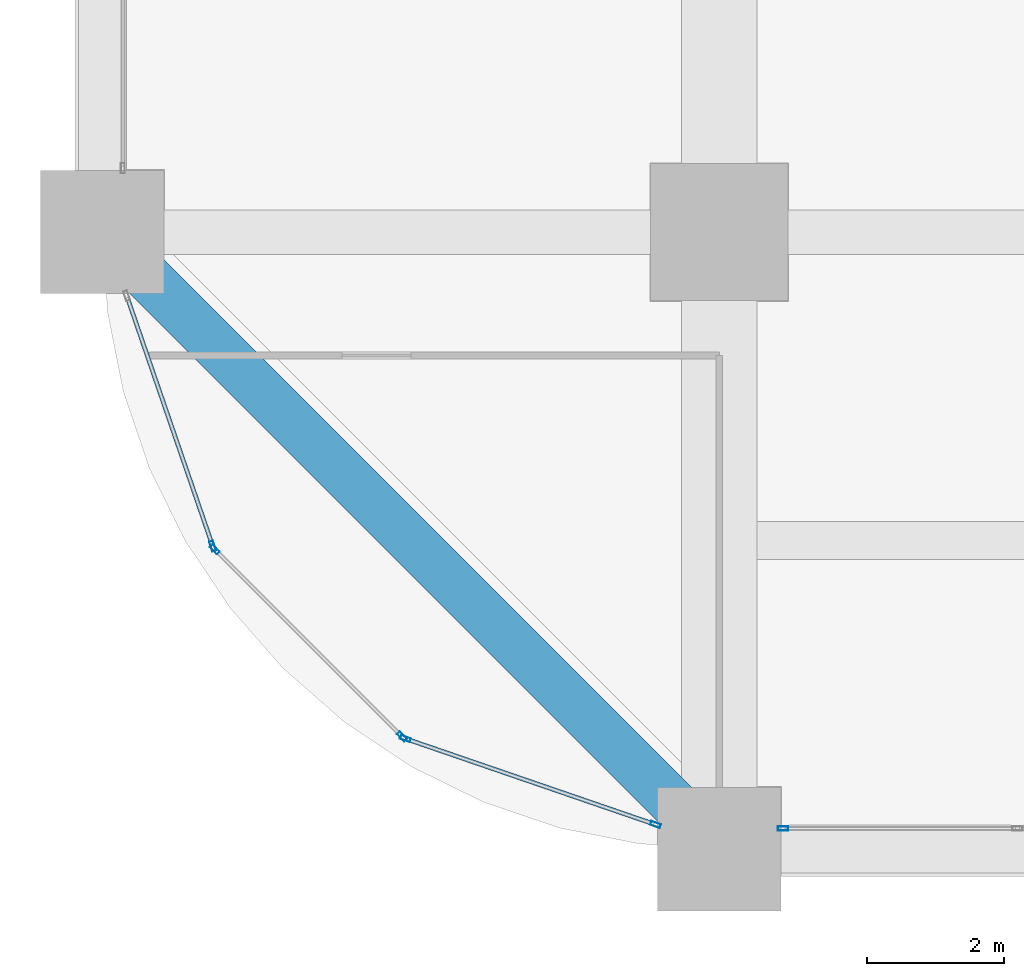
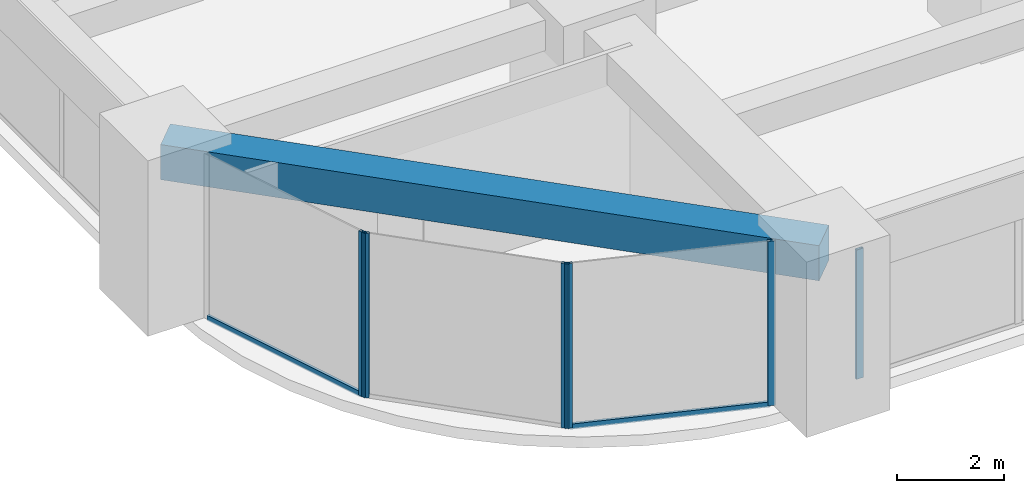
# One storey, part 2 of 40: 8 members, 1 beam, 4 elements without a shape of their own.
"""IFC4 building model written with IfcOpenShell, lengths in metres."""

from ifc_helpers import new_model, si_unit, direction, frame, origin, origin_2d, place, context, subcontext, project, spatial, rectangle, hollow_rectangle, extrude, material, material_profile, profile_set, type_object, element, aggregate, save


model = new_model("IFC4")

# Units and contexts
model_context = context("Model", 3, precision=1e-05, world=origin(), true_north=direction((0.0, 1.0)))
body_context = subcontext(model_context, "Body", "Model", "MODEL_VIEW")
ifc_project = project(units=[si_unit("LENGTHUNIT", "METRE"), si_unit("AREAUNIT", "SQUARE_METRE"), si_unit("VOLUMEUNIT", "CUBIC_METRE"), si_unit("PLANEANGLEUNIT", "RADIAN"), si_unit("MASSUNIT", "GRAM", prefix="KILO")], contexts=[model_context])

# Site, building, storey
site_placement = place(None, origin())
site = spatial("IfcSite", under=ifc_project, at=site_placement, CompositionType="ELEMENT")
building_placement = place(site_placement, origin())
building = spatial("IfcBuilding", under=site, at=building_placement, Name="Zorevar Civic Tower", CompositionType="ELEMENT")
storey_placement = place(building_placement, frame((0.0, 0.0, 93.0)))
storey = spatial("IfcBuildingStorey", under=building, at=storey_placement, Name="L22", CompositionType="ELEMENT", Elevation=93.0)

# Curtain wall, member
ifc_material_1 = material(Name="Dark grey solar-control glass in black aluminium frame", Category="aluminium")
curtain_wall_type = type_object("IfcCurtainWallType", Name="Curtain wall CW3 mid zone", PredefinedType="NOTDEFINED", material=ifc_material_1)
curtain_wall_1_placement = place(storey_placement, origin())
curtain_wall_1 = element("IfcCurtainWall", 1, at=curtain_wall_1_placement, inside=storey, type_object=curtain_wall_type, Name="CW3 L22", PredefinedType="NOTDEFINED")
ifc_material_2 = material(Name="Aluminium, black anodised", Category="aluminium")
ifc_material_profile_1 = material_profile(ifc_material_2, hollow_rectangle(XDim=0.06005859375, YDim=0.14990234375, WallThickness=0.00390625, at=origin_2d()), Name="AL 150x60x4")
ifc_profile_set_1 = profile_set([ifc_material_profile_1], Name="Aluminium, black anodised")
member_type_1 = type_object("IfcMemberType", Name="CW3 mullion AL 150x60x4", PredefinedType="MULLION", material=ifc_profile_set_1)
member_1_placement = place(storey_placement, frame((9.929931640625, 0.300048828125, 0.0), z_axis=(0.0, 0.0, 1.0), x_axis=(0.0, 1.0, 0.0)))
member_1 = element("IfcMember", 2, at=member_1_placement, type_object=member_type_1, Name="CW3 mullion 1", PredefinedType="MULLION", context=body_context, shape_type="SweptSolid", body=[
    extrude(hollow_rectangle(XDim=0.06005859375, YDim=0.14990234375, WallThickness=0.00390625, at=origin_2d()), origin(), (0.0, 0.0, 1.0), 2.949951171875),
])
aggregate(curtain_wall_1, [member_1])

curtain_wall_2_placement = place(storey_placement, origin())
curtain_wall_2 = element("IfcCurtainWall", 3, at=curtain_wall_2_placement, inside=storey, type_object=curtain_wall_type, Name="CW3 L22", PredefinedType="NOTDEFINED")
member_2_placement = place(storey_placement, frame((1.610595703125, 4.420654296875, 0.0), z_axis=(0.0, 0.0, 1.0), x_axis=(0.945755772794, 0.324878466857, 0.0)))
member_2 = element("IfcMember", 4, at=member_2_placement, type_object=member_type_1, Name="CW3 mullion 2", PredefinedType="MULLION", context=body_context, shape_type="SweptSolid", body=[
    extrude(hollow_rectangle(XDim=0.06005859375, YDim=0.14990234375, WallThickness=0.00390625, at=origin_2d()), origin(), (0.0, 0.0, 1.0), 3.75),
])

# Curtain wall, members
curtain_wall_3_placement = place(storey_placement, origin())
curtain_wall_3 = element("IfcCurtainWall", 5, at=curtain_wall_3_placement, inside=storey, type_object=curtain_wall_type, Name="CW3 L22", PredefinedType="NOTDEFINED")
member_3_placement = place(storey_placement, frame((1.6416015625, 4.37109375, 0.0), z_axis=(0.0, 0.0, 1.0), x_axis=(0.707106781187, 0.707106781187, 0.0)))
member_3 = element("IfcMember", 6, at=member_3_placement, type_object=member_type_1, Name="CW3 mullion 1", PredefinedType="MULLION", context=body_context, shape_type="SweptSolid", body=[
    extrude(hollow_rectangle(XDim=0.06005859375, YDim=0.14990234375, WallThickness=0.00390625, at=origin_2d()), origin(), (0.0, 0.0, 1.0), 3.75),
])
member_4_placement = place(storey_placement, frame((4.37109375, 1.6416015625, 0.0), z_axis=(0.0, 0.0, 1.0), x_axis=(0.707106781187, 0.707106781187, 0.0)))
member_4 = element("IfcMember", 7, at=member_4_placement, type_object=member_type_1, Name="CW3 mullion 2", PredefinedType="MULLION", context=body_context, shape_type="SweptSolid", body=[
    extrude(hollow_rectangle(XDim=0.06005859375, YDim=0.14990234375, WallThickness=0.00390625, at=origin_2d()), origin(), (0.0, 0.0, 1.0), 3.75),
])
aggregate(curtain_wall_3, [member_3, member_4])

curtain_wall_4_placement = place(storey_placement, origin())
curtain_wall_4 = element("IfcCurtainWall", 8, at=curtain_wall_4_placement, inside=storey, type_object=curtain_wall_type, Name="CW3 L22", PredefinedType="NOTDEFINED")
member_5_placement = place(storey_placement, frame((4.420654296875, 1.610595703125, 0.0), z_axis=(0.0, 0.0, 1.0), x_axis=(0.324878466857, 0.945755772794, 0.0)))
member_5 = element("IfcMember", 9, at=member_5_placement, type_object=member_type_1, Name="CW3 mullion 1", PredefinedType="MULLION", context=body_context, shape_type="SweptSolid", body=[
    extrude(hollow_rectangle(XDim=0.06005859375, YDim=0.14990234375, WallThickness=0.00390625, at=origin_2d()), origin(), (0.0, 0.0, 1.0), 3.75),
])
member_6_placement = place(storey_placement, frame((8.071533203125, 0.3564453125, 0.0), z_axis=(0.0, 0.0, 1.0), x_axis=(0.324878466857, 0.945755772794, 0.0)))
member_6 = element("IfcMember", 10, at=member_6_placement, type_object=member_type_1, Name="CW3 mullion 2", PredefinedType="MULLION", context=body_context, shape_type="SweptSolid", body=[
    extrude(hollow_rectangle(XDim=0.06005859375, YDim=0.14990234375, WallThickness=0.00390625, at=origin_2d()), origin(), (0.0, 0.0, 1.0), 3.75),
])

# Member
ifc_material_3 = material(Name="Aluminium, black anodised", Category="aluminium")
ifc_material_profile_2 = material_profile(ifc_material_3, hollow_rectangle(XDim=0.06005859375, YDim=0.1201171875, WallThickness=0.0029296875, at=origin_2d()), Name="AL 120x60x3")
ifc_profile_set_2 = profile_set([ifc_material_profile_2], Name="Aluminium, black anodised")
member_type_2 = type_object("IfcMemberType", Name="CW3 transom AL 120x60x3", PredefinedType="USERDEFINED", material=ifc_profile_set_2)
member_7_placement = place(storey_placement, frame((0.3662109375, 8.043212890625, 0.030029296875), z_axis=(0.324887643602, -0.945752620422, 0.0), x_axis=(0.945752620422, 0.324887643602, 0.0)))
member_7 = element("IfcMember", 11, at=member_7_placement, type_object=member_type_2, Name="CW3 sill transom", ObjectType="TRANSOM", PredefinedType="USERDEFINED", context=body_context, shape_type="SweptSolid", body=[
    extrude(hollow_rectangle(XDim=0.06005859375, YDim=0.1201171875, WallThickness=0.0029296875, at=origin_2d()), origin(), (0.0, 0.0, 1.0), 3.800048828125),
])

aggregate(curtain_wall_2, [member_2, member_7])

member_8_placement = place(storey_placement, frame((4.44921875, 1.600830078125, 0.030029296875), z_axis=(0.945752620422, -0.324887643602, 0.0), x_axis=(0.324887643602, 0.945752620422, 0.0)))
member_8 = element("IfcMember", 12, at=member_8_placement, type_object=member_type_2, Name="CW3 sill transom", ObjectType="TRANSOM", PredefinedType="USERDEFINED", context=body_context, shape_type="SweptSolid", body=[
    extrude(hollow_rectangle(XDim=0.06005859375, YDim=0.1201171875, WallThickness=0.0029296875, at=origin_2d()), origin(), (0.0, 0.0, 1.0), 3.800048828125),
])

aggregate(curtain_wall_4, [member_5, member_6, member_8])

# Beam
ifc_material_4 = material(Name="Concrete C50/60", Category="concrete")
ifc_material_profile_3 = material_profile(ifc_material_4, rectangle(XDim=0.699951171875, YDim=0.800048828125, at=origin_2d()), Name="RC 700x800")
ifc_profile_set_3 = profile_set([ifc_material_profile_3], Name="Concrete C50/60")
beam_type = type_object("IfcBeamType", Name="Edge beam RC 700x800", PredefinedType="SPANDREL", material=ifc_profile_set_3)
beam_placement = place(storey_placement, frame((0.0, 9.0, 3.35009765625), z_axis=(0.707106781187, -0.707106781187, 0.0), x_axis=(0.707106781187, 0.707106781187, 0.0)))
element("IfcBeam", 13, at=beam_placement, inside=storey, type_object=beam_type, Name="Corner edge beam L23", PredefinedType="SPANDREL", context=body_context, shape_type="SweptSolid", body=[
    extrude(rectangle(XDim=0.699951171875, YDim=0.800048828125, at=origin_2d()), origin(), (0.0, 0.0, 1.0), 12.72802734375),
])

save(model, "model.ifc")
